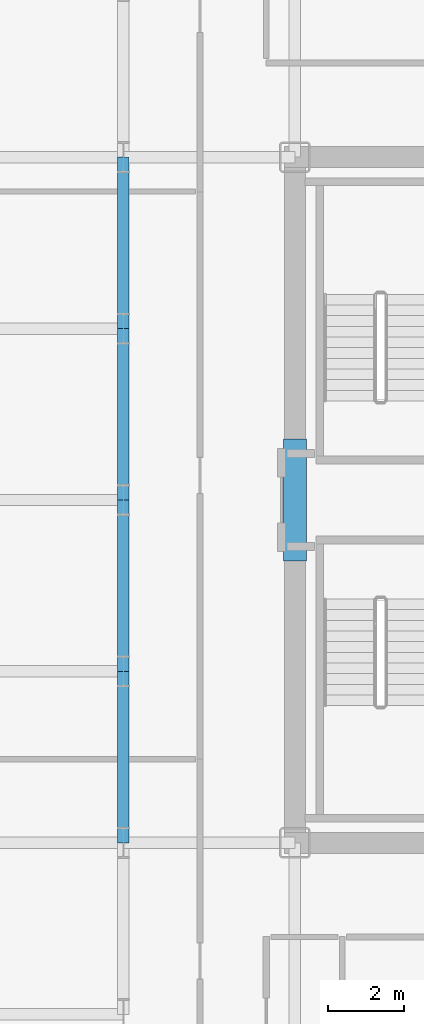
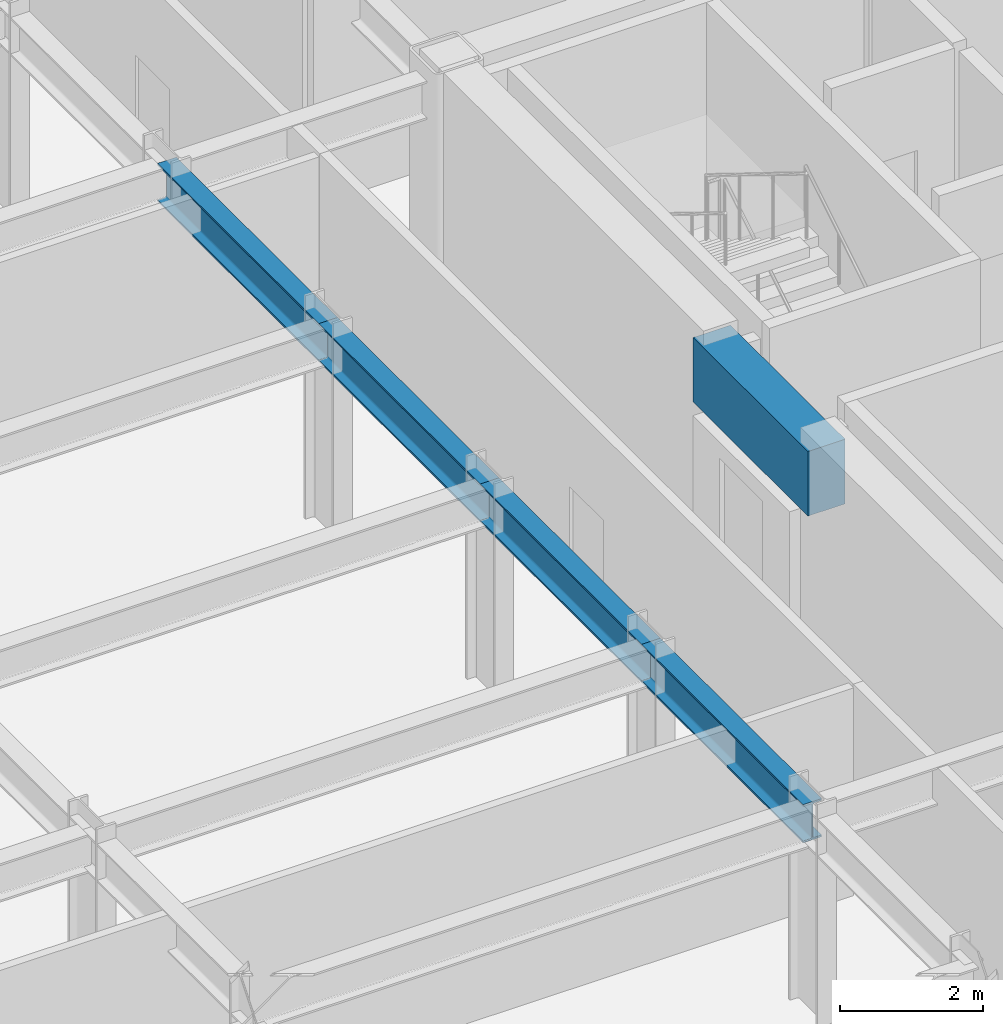
# One storey, part 8 of 25: 5 beams.
"""IFC4 building model written with IfcOpenShell, lengths in metres."""

import ifcopenshell
import ifcopenshell.guid

model = None  # the IFC model being written
_history = None  # IfcOwnerHistory: only IFC2X3 demands one
_inside = {}  # id of a spatial element -> (the spatial element, [elements in it])
_under = {}  # id of a project, library or spatial element -> (it, [spatial elements below it])
_declared = {}  # id of a project -> (the project, [libraries it declares])
_typed = {}  # id of a type object -> (the type object, [elements of that type])
_made_of = {}  # id of a material, layer set ... -> (it, [elements and type objects made of it])


def new_model(schema):
    """Start an empty IFC model of exactly this schema.

    Asked for "IFC4X3", IfcOpenShell would pick the latest addendum, in which some entities
    have other attributes; the version numbers below select the first issue.
    IFC2X3 requires an IfcOwnerHistory on every rooted entity: one is made here for all.
    """
    global model, _history
    if schema == "IFC4X3":
        model = ifcopenshell.file(schema_version=(4, 3, 0, 0))
    else:
        model = ifcopenshell.file(schema=schema)
    _inside.clear()
    _under.clear()
    _declared.clear()
    _typed.clear()
    _made_of.clear()
    _history = None
    if model.schema == "IFC2X3":
        org = make("IfcOrganization", Name="unknown")
        user = make(
            "IfcPersonAndOrganization",
            ThePerson=make("IfcPerson", FamilyName="unknown"),
            TheOrganization=org,
        )
        app = make(
            "IfcApplication",
            ApplicationDeveloper=org,
            Version="unknown",
            ApplicationFullName="unknown",
            ApplicationIdentifier="unknown",
        )
        _history = make(
            "IfcOwnerHistory",
            OwningUser=user,
            OwningApplication=app,
            ChangeAction="ADDED",
            CreationDate=0,
        )
    return model


def make(cls, **values):
    """One entity of the class cls with the attributes given. An attribute that is None is left unset."""
    return model.create_entity(
        cls, **{name: value for name, value in values.items() if value is not None}
    )


def rooted(cls, **values):
    """An entity with a GlobalId (a new one), such as an element, a storey or a relation."""
    return make(cls, GlobalId=ifcopenshell.guid.new(), OwnerHistory=_history, **values)


def si_unit(unit_type, name, prefix=None):
    """IfcSIUnit, for example si_unit("LENGTHUNIT", "METRE", prefix="MILLI")."""
    return make("IfcSIUnit", UnitType=unit_type, Prefix=prefix, Name=name)


def assignment(units):
    """IfcUnitAssignment: the units of a project."""
    return None if units is None else make("IfcUnitAssignment", Units=units)


def point(xyz):
    """IfcCartesianPoint."""
    return None if xyz is None else make("IfcCartesianPoint", Coordinates=xyz)


def direction(xyz):
    """IfcDirection."""
    return None if xyz is None else make("IfcDirection", DirectionRatios=xyz)


def frame(location, z_axis=None, x_axis=None):
    """IfcAxis2Placement3D, a coordinate frame: its origin and axes. An axis left out is left unset."""
    return make(
        "IfcAxis2Placement3D",
        Location=point(location),
        Axis=direction(z_axis),
        RefDirection=direction(x_axis),
    )


def frame_2d(location, x_axis=None):
    """IfcAxis2Placement2D, a coordinate frame in the plane: its origin and x axis."""
    return make(
        "IfcAxis2Placement2D", Location=point(location), RefDirection=direction(x_axis)
    )


def origin():
    """The frame at (0, 0, 0) with its axes left unset."""
    return frame((0.0, 0.0, 0.0))


def origin_2d():
    """The frame at (0, 0) in the plane with its x axis left unset."""
    return frame_2d((0.0, 0.0))


def place(relative_to, where):
    """IfcLocalPlacement: puts the frame where relative to a parent placement (None: the world)."""
    return make(
        "IfcLocalPlacement", PlacementRelTo=relative_to, RelativePlacement=where
    )


def context(
    kind, dimensions, precision=None, world=None, true_north=None, identifier=None
):
    """IfcGeometricRepresentationContext, for example the 3D "Model" context."""
    return make(
        "IfcGeometricRepresentationContext",
        ContextIdentifier=identifier,
        ContextType=kind,
        CoordinateSpaceDimension=dimensions,
        Precision=precision,
        WorldCoordinateSystem=world,
        TrueNorth=true_north,
    )


def subcontext(parent, identifier, kind, view, scale=None):
    """IfcGeometricRepresentationSubContext, for example "Body" below "Model"."""
    return make(
        "IfcGeometricRepresentationSubContext",
        ContextIdentifier=identifier,
        ContextType=kind,
        ParentContext=parent,
        TargetScale=scale,
        TargetView=view,
    )


def project(units=None, contexts=None):
    """IfcProject with its units and contexts."""
    return rooted(
        "IfcProject",
        Name="project",
        RepresentationContexts=contexts,
        UnitsInContext=assignment(units),
    )


def spatial(cls, under=None, at=None, **own):
    """A site, building, storey or space (cls), placed at a placement, below another one or the project."""
    s = rooted(cls, ObjectPlacement=at, **own)
    if under is not None:
        _under.setdefault(under.id(), (under, []))[1].append(s)
    return s


def profile(cls, at=None, kind="AREA", **sizes):
    """A parametric profile (cls). Its sizes go by their IFC names, for example OverallWidth=200.0."""
    return make(cls, ProfileType=kind, Position=at, **sizes)


def rectangle(**sizes):
    """IfcRectangleProfileDef."""
    return profile("IfcRectangleProfileDef", **sizes)


def i_section(**sizes):
    """IfcIShapeProfileDef."""
    return profile("IfcIShapeProfileDef", **sizes)


def extrude(swept, where, along, depth):
    """IfcExtrudedAreaSolid: the profile swept, set in the frame where, extruded along a direction by depth."""
    return make(
        "IfcExtrudedAreaSolid",
        SweptArea=swept,
        Position=where,
        ExtrudedDirection=direction(along),
        Depth=depth,
    )


def shape(context_of_items, identifier, shape_type, items):
    """IfcShapeRepresentation: the items that make up one representation, for example the "Body"."""
    return make(
        "IfcShapeRepresentation",
        ContextOfItems=context_of_items,
        RepresentationIdentifier=identifier,
        RepresentationType=shape_type,
        Items=items,
    )


def source(mapping_origin, context_of_items, identifier, shape_type, items):
    """IfcRepresentationMap: a shape defined once, which mapped items show again and again."""
    return make(
        "IfcRepresentationMap",
        MappingOrigin=mapping_origin,
        MappedRepresentation=shape(context_of_items, identifier, shape_type, items),
    )


def transform(
    local_origin,
    x_axis=None,
    y_axis=None,
    z_axis=None,
    scale=None,
    scale2=None,
    scale3=None,
    uniform=True,
):
    """IfcCartesianTransformationOperator3D, or its non-uniform kind. x_axis, y_axis, z_axis: its Axis1, 2, 3."""
    if uniform:
        return make(
            "IfcCartesianTransformationOperator3D",
            Axis1=direction(x_axis),
            Axis2=direction(y_axis),
            LocalOrigin=point(local_origin),
            Scale=scale,
            Axis3=direction(z_axis),
        )
    return make(
        "IfcCartesianTransformationOperator3DnonUniform",
        Axis1=direction(x_axis),
        Axis2=direction(y_axis),
        LocalOrigin=point(local_origin),
        Scale=scale,
        Axis3=direction(z_axis),
        Scale2=scale2,
        Scale3=scale3,
    )


def mapped(mapping_source, mapping_target):
    """IfcMappedItem: shows the shape of a source again, moved by a transform."""
    return make(
        "IfcMappedItem", MappingSource=mapping_source, MappingTarget=mapping_target
    )


def material(Name=None, Category=None):
    """IfcMaterial."""
    return make("IfcMaterial", Name=Name, Category=Category)


def material_profile(
    of_material, cross_section, Name=None, Category=None, Priority=None
):
    """IfcMaterialProfile: a cross section and its material."""
    return make(
        "IfcMaterialProfile",
        Name=Name,
        Material=of_material,
        Profile=cross_section,
        Priority=Priority,
        Category=Category,
    )


def profile_set(profiles, Name=None, composite=None):
    """IfcMaterialProfileSet."""
    return make(
        "IfcMaterialProfileSet",
        Name=Name,
        MaterialProfiles=profiles,
        CompositeProfile=composite,
    )


def made_of(thing, what):
    """Note that an element or type object is made of a material, layer set ...; save() writes the relation."""
    if what is not None:
        _made_of.setdefault(what.id(), (what, []))[1].append(thing)
    return thing


def type_object(cls, material=None, **own):
    """A type object (cls), such as IfcWallType, which elements share."""
    return made_of(rooted(cls, **own), material)


def element(
    cls,
    number,
    at=None,
    inside=None,
    cuts=None,
    type_object=None,
    material=None,
    context=None,
    identifier="Body",
    shape_type=None,
    held_by="IfcProductDefinitionShape",
    body=None,
    shapes=None,
    **own,
):
    """One element of the class cls, such as IfcWall. Its Tag is "e" and its number.

    at: its placement. inside: the storey or other place that contains it. cuts: it is an
    opening in that element (IfcRelVoidsElement). A single representation is given by context,
    identifier, shape_type and body (its items); several are given by shapes. held_by: the class
    of the entity that holds the representations. save() writes the other relations.
    """
    e = rooted(cls, Tag="e%d" % number, ObjectPlacement=at, **own)
    if body is not None:
        shapes = [shape(context, identifier, shape_type, body)]
    if shapes is not None:
        e.Representation = make(held_by, Representations=shapes)
    if inside is not None:
        _inside.setdefault(inside.id(), (inside, []))[1].append(e)
    if cuts is not None:
        rooted(
            "IfcRelVoidsElement", RelatingBuildingElement=cuts, RelatedOpeningElement=e
        )
    if type_object is not None:
        _typed.setdefault(type_object.id(), (type_object, []))[1].append(e)
    return made_of(e, material)


def aggregate(whole, parts):
    """IfcRelAggregates: a whole, such as a stair, and the parts it consists of."""
    return rooted("IfcRelAggregates", RelatingObject=whole, RelatedObjects=parts)


def save(model, path):
    """Write the relations noted so far, then the file.

    IfcRelAggregates (storeys below a building ...), IfcRelContainedInSpatialStructure (elements
    in a storey), IfcRelDefinesByType, IfcRelAssociatesMaterial and IfcRelDeclares: one each for
    every whole, place, type object, material and project.
    """
    for whole, parts in _under.values():
        aggregate(whole, parts)
    for where, things in _inside.values():
        rooted(
            "IfcRelContainedInSpatialStructure",
            RelatedElements=things,
            RelatingStructure=where,
        )
    for kind, things in _typed.values():
        rooted("IfcRelDefinesByType", RelatedObjects=things, RelatingType=kind)
    for what, things in _made_of.values():
        rooted("IfcRelAssociatesMaterial", RelatedObjects=things, RelatingMaterial=what)
    for by, libraries in _declared.values():
        rooted("IfcRelDeclares", RelatingContext=by, RelatedDefinitions=libraries)
    model.write(path)


model = new_model("IFC4")

# Units and contexts
model_context = context("Model", 3, precision=1e-05, world=origin(), true_north=direction((0.0, 1.0)))
body_context = subcontext(model_context, "Body", "Model", "MODEL_VIEW")
ifc_project = project(units=[si_unit("LENGTHUNIT", "METRE"), si_unit("AREAUNIT", "SQUARE_METRE"), si_unit("VOLUMEUNIT", "CUBIC_METRE"), si_unit("PLANEANGLEUNIT", "RADIAN"), si_unit("MASSUNIT", "GRAM", prefix="KILO")], contexts=[model_context])

# Site, building, storey
site_placement = place(None, origin())
site = spatial("IfcSite", under=ifc_project, at=site_placement, CompositionType="ELEMENT")
building_placement = place(site_placement, origin())
building = spatial("IfcBuilding", under=site, at=building_placement, Name="Nefas-Gora Pilgrimage Tower", CompositionType="ELEMENT")
storey_placement = place(building_placement, frame((0.0, 0.0, 194.39990234375)))
storey = spatial("IfcBuildingStorey", under=building, at=storey_placement, Name="L48", CompositionType="ELEMENT", Elevation=194.39990234375)

# Beams
ifc_material_1 = material(Name="Concrete C60/75", Category="concrete")
ifc_material_profile_1 = material_profile(ifc_material_1, rectangle(XDim=0.60009765625, YDim=1.10009765625, at=origin_2d()), Name="RC 600x1100")
ifc_profile_set_1 = profile_set([ifc_material_profile_1], Name="Concrete C60/75")
beam_type_1 = type_object("IfcBeamType", Name="BM-LIN-RC1100", PredefinedType="LINTEL", material=ifc_profile_set_1)
shared_shape_1 = source(origin(), body_context, "Body", "SweptSolid", [
    extrude(rectangle(XDim=0.60009765625, YDim=1.10009765625, at=origin_2d()), origin(), (0.0, 0.0, 1.0), 3.2001953125),
])
beam_placement = place(storey_placement, frame((-11.25, -1.60009765625, 3.0), z_axis=(0.0, 1.0, 0.0), x_axis=(-1.0, 0.0, 0.0)))
element("IfcBeam", 1, at=beam_placement, inside=storey, type_object=beam_type_1, Name="L48 Core Coupling Lintel Beam W", PredefinedType="LINTEL", context=body_context, shape_type="MappedRepresentation", body=[
    mapped(shared_shape_1, transform((0.0, 0.0, 0.0), x_axis=(1.0, 0.0, 0.0), y_axis=(0.0, 1.0, 0.0), z_axis=(0.0, 0.0, 1.0), scale=1.0)),
])
ifc_material_2 = material(Name="Steel S355", Category="steel")
ifc_material_profile_2 = material_profile(ifc_material_2, i_section(OverallWidth=0.300048828125, OverallDepth=0.64990234375, WebThickness=0.01611328125, FlangeThickness=0.031005859375, FilletRadius=0.027099609375, at=origin_2d()), Name="HEB 650")
ifc_profile_set_2 = profile_set([ifc_material_profile_2], Name="Steel S355")
beam_type_2 = type_object("IfcBeamType", Name="BM-GIR-HEB650", PredefinedType="BEAM", material=ifc_profile_set_2)
shared_shape_2 = source(origin(), body_context, "Body", "SweptSolid", [
    extrude(i_section(OverallWidth=0.300048828125, OverallDepth=0.64990234375, WebThickness=0.01611328125, FlangeThickness=0.031005859375, FilletRadius=0.027099609375, at=origin_2d()), origin(), (0.0, 0.0, 1.0), 4.5),
])
for number, where, z_axis, x_axis, name in (
    (2, (-15.75, -9.0, 3.22509765625), (0.0, 1.0, 0.0), (-1.0, 0.0, 0.0), "L48 G-03 beam"),
    (3, (-15.75, -4.5, 3.22509765625), (0.0, 1.0, 0.0), (-1.0, 0.0, 0.0), "L48 G-03 beam"),
    (4, (-15.75, 0.0, 3.22509765625), (0.0, 1.0, 0.0), (-1.0, 0.0, 0.0), "L48 G-03 beam"),
    (5, (-15.75, 4.5, 3.22509765625), (0.0, 1.0, 0.0), (-1.0, 0.0, 0.0), "L48 G-03 beam"),
):
    element("IfcBeam", number, at=place(storey_placement, frame(where, z_axis=z_axis, x_axis=x_axis)), inside=storey, type_object=beam_type_2, Name=name, PredefinedType="BEAM", context=body_context, shape_type="MappedRepresentation", body=[
        mapped(shared_shape_2, transform((0.0, 0.0, 0.0), x_axis=(1.0, 0.0, 0.0), y_axis=(0.0, 1.0, 0.0), z_axis=(0.0, 0.0, 1.0), scale=1.0)),
    ])

save(model, "model.ifc")
